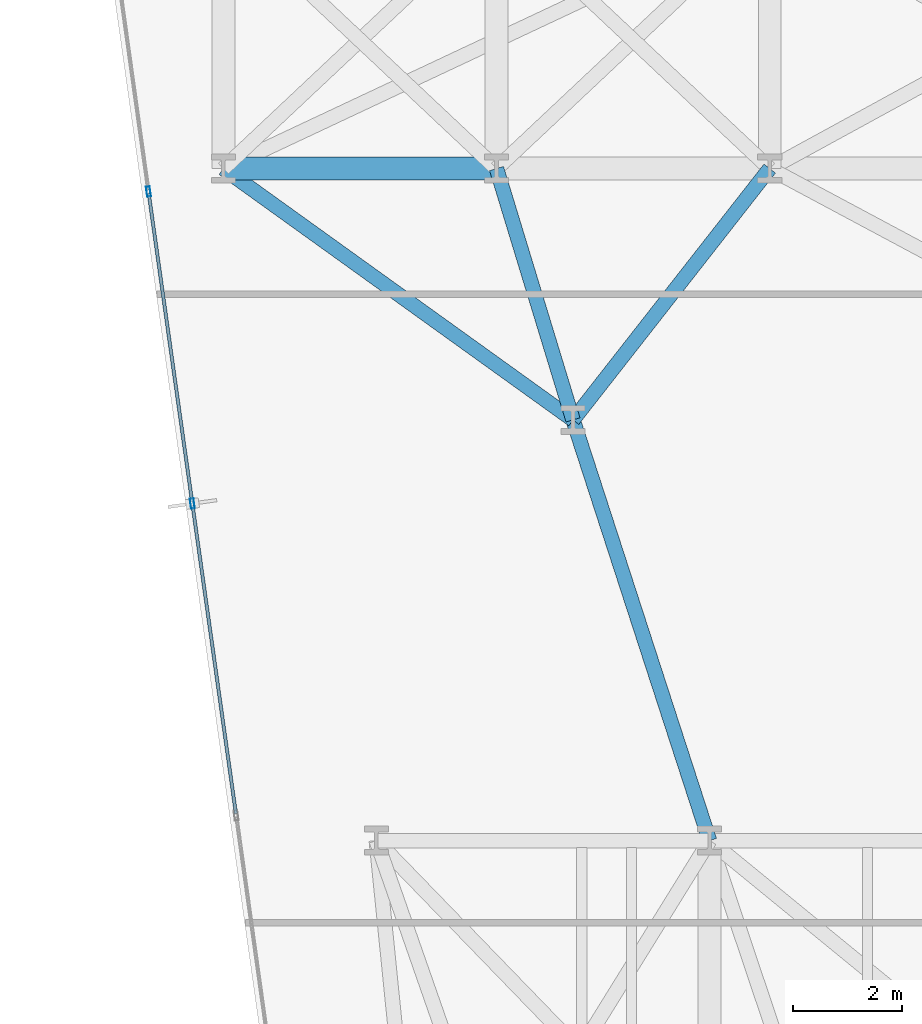
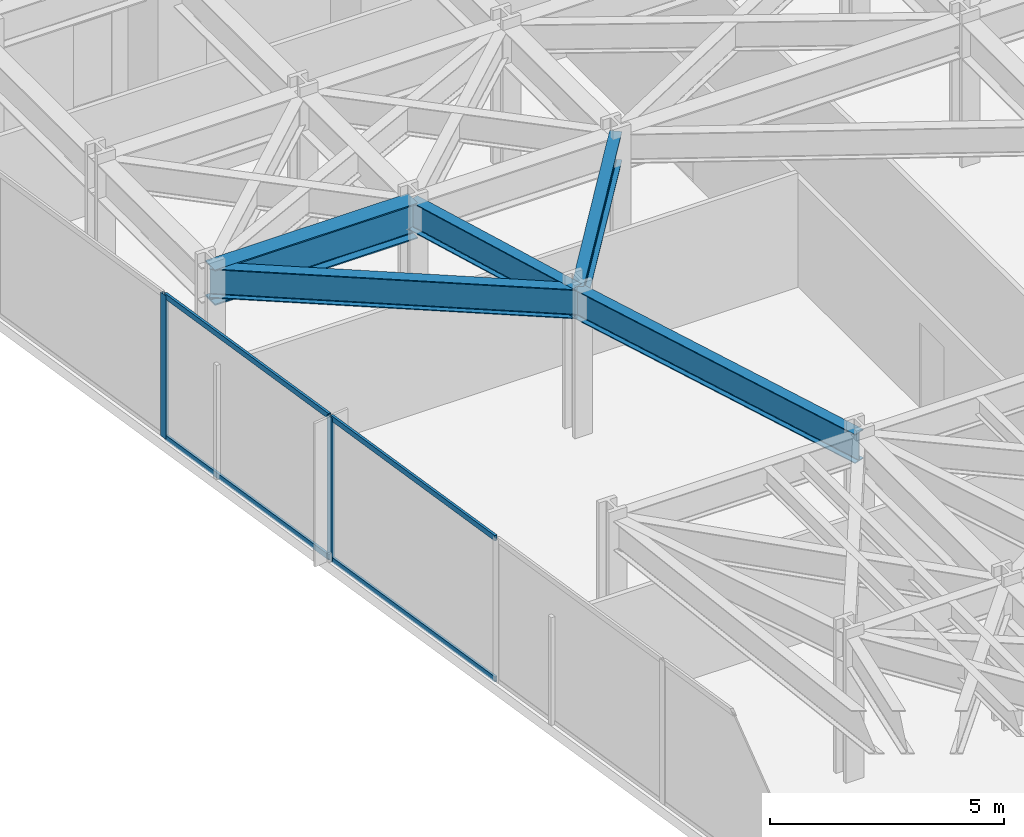
# One storey, part 7 of 25: 6 members, 5 beams, 1 element without a shape of its own.
"""IFC4 building model written with IfcOpenShell, lengths in metres."""

from ifc_helpers import new_model, si_unit, direction, frame, origin, origin_2d, place, context, subcontext, project, spatial, hollow_rectangle, i_section, extrude, material, layer, layer_set, material_profile, profile_set, type_object, element, aggregate, save


model = new_model("IFC4")

# Units and contexts
model_context = context("Model", 3, precision=1e-05, world=origin(), true_north=direction((0.0, 1.0)))
body_context = subcontext(model_context, "Body", "Model", "MODEL_VIEW")
ifc_project = project(units=[si_unit("LENGTHUNIT", "METRE"), si_unit("AREAUNIT", "SQUARE_METRE"), si_unit("VOLUMEUNIT", "CUBIC_METRE"), si_unit("PLANEANGLEUNIT", "RADIAN"), si_unit("MASSUNIT", "GRAM", prefix="KILO")], contexts=[model_context])

# Site, building, storey
site_placement = place(None, origin())
site = spatial("IfcSite", under=ifc_project, at=site_placement, CompositionType="ELEMENT")
building_placement = place(site_placement, origin())
building = spatial("IfcBuilding", under=site, at=building_placement, Name="Kravanh Interchange Tower", CompositionType="ELEMENT")
storey_placement = place(building_placement, frame((0.0, 0.0, 41.5)))
storey = spatial("IfcBuildingStorey", under=building, at=storey_placement, Name="L09", CompositionType="ELEMENT", Elevation=41.5)

# Curtain wall, members
ifc_material_1 = material(Name="Anodised Bronze Aluminium", Category="aluminium")
ifc_layer = layer(ifc_material_1, 0.179931640625)
ifc_layer_set = layer_set([ifc_layer], Name="Unitised Curtain Wall System CW-Z1 Lower Office")
curtain_wall_type = type_object("IfcCurtainWallType", Name="Unitised Curtain Wall System CW-Z1 Lower Office", PredefinedType="NOTDEFINED", material=ifc_layer_set)
curtain_wall_placement = place(storey_placement, origin())
curtain_wall = element("IfcCurtainWall", 1, at=curtain_wall_placement, inside=storey, type_object=curtain_wall_type, Name="L09 Unitised Curtain Wall CW-L09-01", PredefinedType="NOTDEFINED")
ifc_material_2 = material(Name="Anodised Bronze Aluminium", Category="aluminium")
ifc_material_profile_1 = material_profile(ifc_material_2, hollow_rectangle(XDim=0.070068359375, YDim=0.179931640625, WallThickness=0.00390625, at=origin_2d()), Name="ALU70X180X4")
ifc_profile_set_1 = profile_set([ifc_material_profile_1], Name="Anodised Bronze Aluminium")
member_type_1 = type_object("IfcMemberType", Name="Curtain Wall Mullion ALU70X180X4 Bronze", PredefinedType="MULLION", material=ifc_profile_set_1)
member_1_placement = place(storey_placement, frame((8.03271484375, 20.66845703125, 0.0), z_axis=(0.0, 0.0, 1.0), x_axis=(-0.990267585682, -0.139176538065, 0.0)))
member_1 = element("IfcMember", 2, at=member_1_placement, type_object=member_type_1, Name="CW-Z1 mullion 4", PredefinedType="MULLION", context=body_context, shape_type="SweptSolid", body=[
    extrude(hollow_rectangle(XDim=0.070068359375, YDim=0.179931640625, WallThickness=0.00390625, at=origin_2d()), origin(), (0.0, 0.0, 1.0), 3.739990234375),
])
member_2_placement = place(storey_placement, frame((7.22998046875, 26.37890625, 0.0), z_axis=(0.0, 0.0, 1.0), x_axis=(-0.990267585682, -0.139176538065, 0.0)))
member_2 = element("IfcMember", 3, at=member_2_placement, type_object=member_type_1, Name="CW-Z1 mullion 5", PredefinedType="MULLION", context=body_context, shape_type="SweptSolid", body=[
    extrude(hollow_rectangle(XDim=0.070068359375, YDim=0.179931640625, WallThickness=0.00390625, at=origin_2d()), origin(), (0.0, 0.0, 1.0), 3.739990234375),
])
ifc_material_3 = material(Name="Anodised Bronze Aluminium", Category="aluminium")
ifc_material_profile_2 = material_profile(ifc_material_3, hollow_rectangle(XDim=0.06005859375, YDim=0.139892578125, WallThickness=0.00390625, at=origin_2d()), Name="ALU60X140X4")
ifc_profile_set_2 = profile_set([ifc_material_profile_2], Name="Anodised Bronze Aluminium")
member_type_2 = type_object("IfcMemberType", Name="Curtain Wall Transom ALU60X140X4 Bronze", PredefinedType="USERDEFINED", material=ifc_profile_set_2)
member_3_placement = place(storey_placement, frame((8.830322265625, 14.992431640625, 0.030029296875), z_axis=(-0.139153051789, 0.990270886262, 0.0), x_axis=(-0.990270886262, -0.139153051789, 0.0)))
member_3 = element("IfcMember", 4, at=member_3_placement, type_object=member_type_2, Name="CW-Z1 transom 3.1", ObjectType="TRANSOM", PredefinedType="USERDEFINED", context=body_context, shape_type="SweptSolid", body=[
    extrude(hollow_rectangle(XDim=0.06005859375, YDim=0.139892578125, WallThickness=0.00390625, at=origin_2d()), origin(), (0.0, 0.0, 1.0), 5.69677734375),
])
member_4_placement = place(storey_placement, frame((8.830322265625, 14.992431640625, 3.7099609375), z_axis=(-0.139153051789, 0.990270886262, 0.0), x_axis=(-0.990270886262, -0.139153051789, 0.0)))
member_4 = element("IfcMember", 5, at=member_4_placement, type_object=member_type_2, Name="CW-Z1 transom 3.2", ObjectType="TRANSOM", PredefinedType="USERDEFINED", context=body_context, shape_type="SweptSolid", body=[
    extrude(hollow_rectangle(XDim=0.06005859375, YDim=0.139892578125, WallThickness=0.00390625, at=origin_2d()), origin(), (0.0, 0.0, 1.0), 5.69677734375),
])
member_5_placement = place(storey_placement, frame((8.02783203125, 20.703125, 0.030029296875), z_axis=(-0.139200984921, 0.990264149506, 0.0), x_axis=(-0.990264149506, -0.139200984921, 0.0)))
member_5 = element("IfcMember", 6, at=member_5_placement, type_object=member_type_2, Name="CW-Z1 transom 4.1", ObjectType="TRANSOM", PredefinedType="USERDEFINED", context=body_context, shape_type="SweptSolid", body=[
    extrude(hollow_rectangle(XDim=0.06005859375, YDim=0.139892578125, WallThickness=0.00390625, at=origin_2d()), origin(), (0.0, 0.0, 1.0), 5.696533203125),
])
member_6_placement = place(storey_placement, frame((8.02783203125, 20.703125, 3.7099609375), z_axis=(-0.139200984921, 0.990264149506, 0.0), x_axis=(-0.990264149506, -0.139200984921, 0.0)))
member_6 = element("IfcMember", 7, at=member_6_placement, type_object=member_type_2, Name="CW-Z1 transom 4.2", ObjectType="TRANSOM", PredefinedType="USERDEFINED", context=body_context, shape_type="SweptSolid", body=[
    extrude(hollow_rectangle(XDim=0.06005859375, YDim=0.139892578125, WallThickness=0.00390625, at=origin_2d()), origin(), (0.0, 0.0, 1.0), 5.696533203125),
])
aggregate(curtain_wall, [member_1, member_2, member_3, member_4, member_5, member_6])

# Beams
ifc_material_4 = material(Name="Structural Steel S355", Category="steel")
ifc_material_profile_3 = material_profile(ifc_material_4, i_section(OverallWidth=0.41796875, OverallDepth=0.927001953125, WebThickness=0.019287109375, FlangeThickness=0.031982421875, FilletRadius=0.028076171875, at=origin_2d()), Name="W36X231")
ifc_profile_set_3 = profile_set([ifc_material_profile_3], Name="Structural Steel S355")
beam_type_1 = type_object("IfcBeamType", Name="Floor Beam W36X231 Structural Steel S355", PredefinedType="BEAM", material=ifc_profile_set_3)
beam_1_placement = place(storey_placement, frame((8.60009765625, 26.800048828125, 3.276611328125), z_axis=(1.0, 0.0, 0.0), x_axis=(0.0, 1.0, 0.0)))
element("IfcBeam", 8, at=beam_1_placement, inside=storey, type_object=beam_type_1, Name="L09 Primary Floor Girder 67", PredefinedType="BEAM", context=body_context, shape_type="SweptSolid", body=[
    extrude(i_section(OverallWidth=0.41796875, OverallDepth=0.927001953125, WebThickness=0.019287109375, FlangeThickness=0.031982421875, FilletRadius=0.028076171875, at=origin_2d()), origin(), (0.0, 0.0, 1.0), 5.0),
])
ifc_material_5 = material(Name="Structural Steel S355", Category="steel")
ifc_material_profile_4 = material_profile(ifc_material_5, i_section(OverallWidth=0.26708984375, OverallDepth=0.761962890625, WebThickness=0.014404296875, FlangeThickness=0.021484375, FilletRadius=0.02490234375, at=origin_2d()), Name="W30X116")
ifc_profile_set_4 = profile_set([ifc_material_profile_4], Name="Structural Steel S355")
beam_type_2 = type_object("IfcBeamType", Name="Floor Spandrel W30X116 Structural Steel S355", PredefinedType="SPANDREL", material=ifc_profile_set_4)
beam_2_placement = place(storey_placement, frame((15.0, 22.199951171875, 3.35888671875), z_axis=(-0.291137370727, 0.956681259023, 0.0), x_axis=(-0.956681259023, -0.291137370727, 0.0)))
element("IfcBeam", 9, at=beam_2_placement, inside=storey, type_object=beam_type_2, Name="L09 Perimeter Spandrel 50", PredefinedType="SPANDREL", context=body_context, shape_type="SweptSolid", body=[
    extrude(i_section(OverallWidth=0.26708984375, OverallDepth=0.761962890625, WebThickness=0.014404296875, FlangeThickness=0.021484375, FilletRadius=0.02490234375, at=origin_2d()), origin(), (0.0, 0.0, 1.0), 4.808349609375),
])
beam_3_placement = place(storey_placement, frame((15.0, 22.199951171875, 3.35888671875), z_axis=(0.616310515553, 0.787503237085, 0.0), x_axis=(-0.787503237085, 0.616310515553, 0.0)))
element("IfcBeam", 10, at=beam_3_placement, inside=storey, type_object=beam_type_2, Name="L09 Perimeter Spandrel 51", PredefinedType="SPANDREL", context=body_context, shape_type="SweptSolid", body=[
    extrude(i_section(OverallWidth=0.26708984375, OverallDepth=0.761962890625, WebThickness=0.014404296875, FlangeThickness=0.021484375, FilletRadius=0.02490234375, at=origin_2d()), origin(), (0.0, 0.0, 1.0), 5.84130859375),
])
beam_4_placement = place(storey_placement, frame((15.0, 22.199951171875, 3.35888671875), z_axis=(-0.812005278585, 0.583650089994, 0.0), x_axis=(-0.583650089994, -0.812005278585, 0.0)))
element("IfcBeam", 11, at=beam_4_placement, inside=storey, type_object=beam_type_2, Name="L09 Perimeter Spandrel 52", PredefinedType="SPANDREL", context=body_context, shape_type="SweptSolid", body=[
    extrude(i_section(OverallWidth=0.26708984375, OverallDepth=0.761962890625, WebThickness=0.014404296875, FlangeThickness=0.021484375, FilletRadius=0.02490234375, at=origin_2d()), origin(), (0.0, 0.0, 1.0), 7.881591796875),
])
beam_5_placement = place(storey_placement, frame((15.0, 22.199951171875, 3.35888671875), z_axis=(0.30880852537, -0.951124226723, 0.0), x_axis=(0.951124226723, 0.30880852537, 0.0)))
element("IfcBeam", 12, at=beam_5_placement, inside=storey, type_object=beam_type_2, Name="L09 Perimeter Spandrel 53", PredefinedType="SPANDREL", context=body_context, shape_type="SweptSolid", body=[
    extrude(i_section(OverallWidth=0.26708984375, OverallDepth=0.761962890625, WebThickness=0.014404296875, FlangeThickness=0.021484375, FilletRadius=0.02490234375, at=origin_2d()), origin(), (0.0, 0.0, 1.0), 8.095703125),
])

save(model, "model.ifc")
